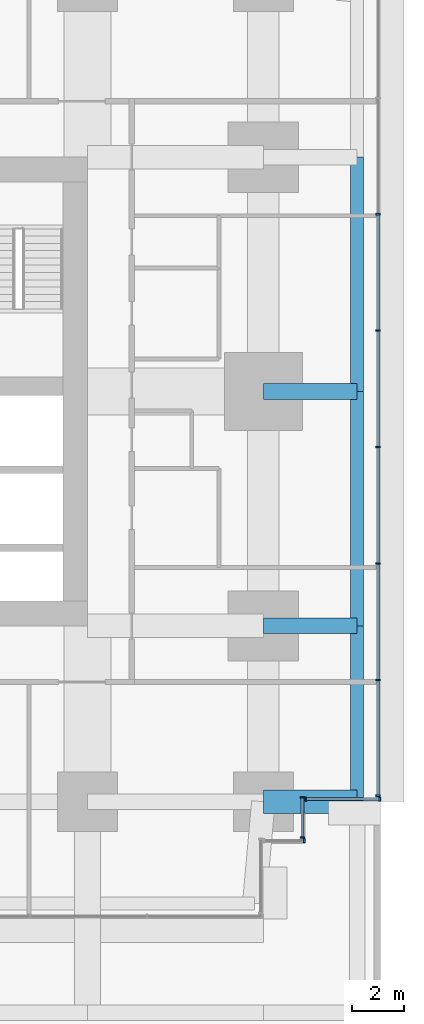
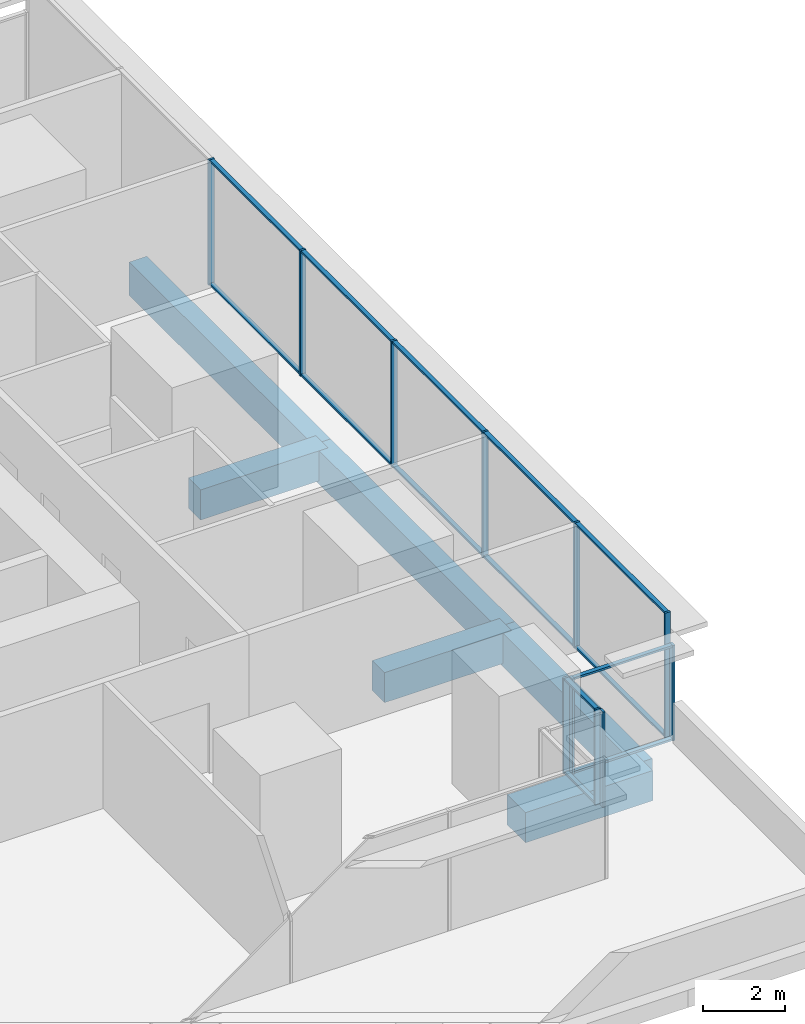
# One storey, part 16 of 34: 25 members, 6 beams, 4 elements without a shape of their own.
"""IFC4 building model written with IfcOpenShell, lengths in metres."""

from ifc_helpers import new_model, si_unit, direction, frame, origin, origin_2d, place, context, subcontext, project, spatial, rectangle, extrude, material, layer, layer_set, material_profile, profile_set, type_object, element, aggregate, save


model = new_model("IFC4")

# Units and contexts
model_context = context("Model", 3, precision=1e-05, world=origin(), true_north=direction((0.0, 1.0)))
body_context = subcontext(model_context, "Body", "Model", "MODEL_VIEW")
ifc_project = project(units=[si_unit("LENGTHUNIT", "METRE"), si_unit("AREAUNIT", "SQUARE_METRE"), si_unit("VOLUMEUNIT", "CUBIC_METRE"), si_unit("PLANEANGLEUNIT", "RADIAN"), si_unit("MASSUNIT", "GRAM", prefix="KILO")], contexts=[model_context])

# Site, building, storey
site_placement = place(None, origin())
site = spatial("IfcSite", under=ifc_project, at=site_placement, CompositionType="ELEMENT")
building_placement = place(site_placement, origin())
building = spatial("IfcBuilding", under=site, at=building_placement, Name="Namib Vertical Campus", CompositionType="ELEMENT")
storey_placement = place(building_placement, frame((0.0, 0.0, 21.0)))
storey = spatial("IfcBuildingStorey", under=building, at=storey_placement, Name="L04", CompositionType="ELEMENT", Elevation=21.0)

# Beams
ifc_material_1 = material(Name="Concrete C40/50", Category="concrete")
ifc_material_profile_1 = material_profile(ifc_material_1, rectangle(XDim=0.60009765625, YDim=0.89990234375, at=origin_2d()))
ifc_profile_set_1 = profile_set([ifc_material_profile_1], Name="Concrete C40/50")
beam_type_1 = type_object("IfcBeamType", Name="Cantilever girder RC 600x900", PredefinedType="BEAM", material=ifc_profile_set_1)
for number, where, z_axis, x_axis, name in (
    (1, (94.5, 11.25, -0.75), (1.0, 0.0, 0.0), (0.0, 1.0, 0.0), "Beam B3 L04"),
    (2, (94.5, 20.25, -0.75), (1.0, 0.0, 0.0), (0.0, 1.0, 0.0), "Beam B3 L04"),
):
    element("IfcBeam", number, at=place(storey_placement, frame(where, z_axis=z_axis, x_axis=x_axis)), inside=storey, type_object=beam_type_1, Name=name, PredefinedType="BEAM", context=body_context, shape_type="SweptSolid", body=[
        extrude(rectangle(XDim=0.60009765625, YDim=0.89990234375, at=origin_2d()), origin(), (0.0, 0.0, 1.0), 3.60009765625),
    ])

# Curtain wall, member
ifc_material_2 = material(Name="Black aluminium curtain wall", Category="aluminium")
ifc_layer = layer(ifc_material_2, 0.199951171875)
ifc_layer_set = layer_set([ifc_layer], Name="Lounge curtain wall CW-L4")
curtain_wall_type = type_object("IfcCurtainWallType", Name="Lounge curtain wall CW-L4", PredefinedType="USERDEFINED", material=ifc_layer_set)
curtain_wall_1_placement = place(storey_placement, origin())
curtain_wall_1 = element("IfcCurtainWall", 3, at=curtain_wall_1_placement, inside=storey, type_object=curtain_wall_type, Name="Curtain wall CW-L4 L04 F03-1", ObjectType="CURTAIN WALL", PredefinedType="USERDEFINED")
ifc_material_3 = material(Name="Black anodised aluminium", Category="aluminium")
ifc_material_profile_2 = material_profile(ifc_material_3, rectangle(XDim=0.06005859375, YDim=0.159912109375, at=origin_2d()))
ifc_profile_set_2 = profile_set([ifc_material_profile_2], Name="Black anodised aluminium")
member_type_1 = type_object("IfcMemberType", Name="Curtain wall mullion 60x160", PredefinedType="MULLION", material=ifc_profile_set_2)
member_1_placement = place(storey_placement, frame((96.070068359375, 3.0, 0.0), z_axis=(0.0, 0.0, 1.0), x_axis=(1.0, 0.0, 0.0)))
member_1 = element("IfcMember", 4, at=member_1_placement, type_object=member_type_1, Name="CW-L4 mullion 2", PredefinedType="MULLION", context=body_context, shape_type="SweptSolid", body=[
    extrude(rectangle(XDim=0.06005859375, YDim=0.159912109375, at=origin_2d()), origin(), (0.0, 0.0, 1.0), 2.85009765625),
])
aggregate(curtain_wall_1, [member_1])

# Curtain wall, members
curtain_wall_2_placement = place(storey_placement, origin())
curtain_wall_2 = element("IfcCurtainWall", 5, at=curtain_wall_2_placement, inside=storey, type_object=curtain_wall_type, Name="Curtain wall CW-L4 L04 F04-1", ObjectType="CURTAIN WALL", PredefinedType="USERDEFINED")
member_2_placement = place(storey_placement, frame((96.0, 3.1298828125, 0.0), z_axis=(0.0, 0.0, 1.0), x_axis=(0.0, 1.0, 0.0)))
member_2 = element("IfcMember", 6, at=member_2_placement, type_object=member_type_1, Name="CW-L4 mullion 1", PredefinedType="MULLION", context=body_context, shape_type="SweptSolid", body=[
    extrude(rectangle(XDim=0.06005859375, YDim=0.159912109375, at=origin_2d()), origin(), (0.0, 0.0, 1.0), 2.85009765625),
])
member_3_placement = place(storey_placement, frame((96.0, 4.669921875, 0.0), z_axis=(0.0, 0.0, 1.0), x_axis=(0.0, 1.0, 0.0)))
member_3 = element("IfcMember", 7, at=member_3_placement, type_object=member_type_1, Name="CW-L4 mullion 2", PredefinedType="MULLION", context=body_context, shape_type="SweptSolid", body=[
    extrude(rectangle(XDim=0.06005859375, YDim=0.159912109375, at=origin_2d()), origin(), (0.0, 0.0, 1.0), 2.85009765625),
])

curtain_wall_3_placement = place(storey_placement, origin())
curtain_wall_3 = element("IfcCurtainWall", 8, at=curtain_wall_3_placement, inside=storey, type_object=curtain_wall_type, Name="Curtain wall CW-L4 L04 F05-1", ObjectType="CURTAIN WALL", PredefinedType="USERDEFINED")
member_4_placement = place(storey_placement, frame((96.1298828125, 4.60009765625, 0.0), z_axis=(0.0, 0.0, 1.0), x_axis=(1.0, 0.0, 0.0)))
member_4 = element("IfcMember", 9, at=member_4_placement, type_object=member_type_1, Name="CW-L4 mullion 1", PredefinedType="MULLION", context=body_context, shape_type="SweptSolid", body=[
    extrude(rectangle(XDim=0.06005859375, YDim=0.159912109375, at=origin_2d()), origin(), (0.0, 0.0, 1.0), 2.85009765625),
])
member_5_placement = place(storey_placement, frame((98.969970703125, 4.60009765625, 0.0), z_axis=(0.0, 0.0, 1.0), x_axis=(1.0, 0.0, 0.0)))
member_5 = element("IfcMember", 10, at=member_5_placement, type_object=member_type_1, Name="CW-L4 mullion 2", PredefinedType="MULLION", context=body_context, shape_type="SweptSolid", body=[
    extrude(rectangle(XDim=0.06005859375, YDim=0.159912109375, at=origin_2d()), origin(), (0.0, 0.0, 1.0), 2.85009765625),
])

curtain_wall_4_placement = place(storey_placement, origin())
curtain_wall_4 = element("IfcCurtainWall", 11, at=curtain_wall_4_placement, inside=storey, type_object=curtain_wall_type, Name="Curtain wall CW-L4 L04 F06-1", ObjectType="CURTAIN WALL", PredefinedType="USERDEFINED")
member_6_placement = place(storey_placement, frame((98.89990234375, 4.72998046875, 0.0), z_axis=(0.0, 0.0, 1.0), x_axis=(0.0, 1.0, 0.0)))
member_6 = element("IfcMember", 12, at=member_6_placement, type_object=member_type_1, Name="CW-L4 mullion 1", PredefinedType="MULLION", context=body_context, shape_type="SweptSolid", body=[
    extrude(rectangle(XDim=0.06005859375, YDim=0.159912109375, at=origin_2d()), origin(), (0.0, 0.0, 1.0), 3.75),
])
member_7_placement = place(storey_placement, frame((98.89990234375, 9.17138671875, 0.0), z_axis=(0.0, 0.0, 1.0), x_axis=(0.0, 1.0, 0.0)))
member_7 = element("IfcMember", 13, at=member_7_placement, type_object=member_type_1, Name="CW-L4 mullion 2", PredefinedType="MULLION", context=body_context, shape_type="SweptSolid", body=[
    extrude(rectangle(XDim=0.06005859375, YDim=0.159912109375, at=origin_2d()), origin(), (0.0, 0.0, 1.0), 3.75),
])
member_8_placement = place(storey_placement, frame((98.89990234375, 13.642822265625, 0.0), z_axis=(0.0, 0.0, 1.0), x_axis=(0.0, 1.0, 0.0)))
member_8 = element("IfcMember", 14, at=member_8_placement, type_object=member_type_1, Name="CW-L4 mullion 3", PredefinedType="MULLION", context=body_context, shape_type="SweptSolid", body=[
    extrude(rectangle(XDim=0.06005859375, YDim=0.159912109375, at=origin_2d()), origin(), (0.0, 0.0, 1.0), 3.75),
])
member_9_placement = place(storey_placement, frame((98.89990234375, 18.1142578125, 0.0), z_axis=(0.0, 0.0, 1.0), x_axis=(0.0, 1.0, 0.0)))
member_9 = element("IfcMember", 15, at=member_9_placement, type_object=member_type_1, Name="CW-L4 mullion 4", PredefinedType="MULLION", context=body_context, shape_type="SweptSolid", body=[
    extrude(rectangle(XDim=0.06005859375, YDim=0.159912109375, at=origin_2d()), origin(), (0.0, 0.0, 1.0), 3.75),
])
member_10_placement = place(storey_placement, frame((98.89990234375, 22.585693359375, 0.0), z_axis=(0.0, 0.0, 1.0), x_axis=(0.0, 1.0, 0.0)))
member_10 = element("IfcMember", 16, at=member_10_placement, type_object=member_type_1, Name="CW-L4 mullion 5", PredefinedType="MULLION", context=body_context, shape_type="SweptSolid", body=[
    extrude(rectangle(XDim=0.06005859375, YDim=0.159912109375, at=origin_2d()), origin(), (0.0, 0.0, 1.0), 3.75),
])
member_11_placement = place(storey_placement, frame((98.89990234375, 27.05712890625, 0.0), z_axis=(0.0, 0.0, 1.0), x_axis=(0.0, 1.0, 0.0)))
member_11 = element("IfcMember", 17, at=member_11_placement, type_object=member_type_1, Name="CW-L4 mullion 6", PredefinedType="MULLION", context=body_context, shape_type="SweptSolid", body=[
    extrude(rectangle(XDim=0.06005859375, YDim=0.159912109375, at=origin_2d()), origin(), (0.0, 0.0, 1.0), 3.75),
])

# Member
ifc_material_4 = material(Name="Black anodised aluminium", Category="aluminium")
ifc_material_profile_3 = material_profile(ifc_material_4, rectangle(XDim=0.06005859375, YDim=0.1201171875, at=origin_2d()))
ifc_profile_set_3 = profile_set([ifc_material_profile_3], Name="Black anodised aluminium")
member_type_2 = type_object("IfcMemberType", Name="Curtain wall transom 60x120", PredefinedType="USERDEFINED", material=ifc_profile_set_3)
member_12_placement = place(storey_placement, frame((96.0, 3.159912109375, 0.030029296875), z_axis=(0.0, 1.0, 0.0), x_axis=(0.0, 0.0, 1.0)))
member_12 = element("IfcMember", 18, at=member_12_placement, type_object=member_type_2, Name="CW-L4 transom 1.1", ObjectType="TRANSOM", PredefinedType="USERDEFINED", context=body_context, shape_type="SweptSolid", body=[
    extrude(rectangle(XDim=0.06005859375, YDim=0.1201171875, at=origin_2d()), origin(), (0.0, 0.0, 1.0), 1.47998046875),
])

member_13_placement = place(storey_placement, frame((96.0, 3.159912109375, 2.820068359375), z_axis=(0.0, 1.0, 0.0), x_axis=(0.0, 0.0, 1.0)))
member_13 = element("IfcMember", 19, at=member_13_placement, type_object=member_type_2, Name="CW-L4 transom 1.2", ObjectType="TRANSOM", PredefinedType="USERDEFINED", context=body_context, shape_type="SweptSolid", body=[
    extrude(rectangle(XDim=0.06005859375, YDim=0.1201171875, at=origin_2d()), origin(), (0.0, 0.0, 1.0), 1.47998046875),
])

aggregate(curtain_wall_2, [member_2, member_3, member_12, member_13])

member_14_placement = place(storey_placement, frame((96.159912109375, 4.60009765625, 0.030029296875), z_axis=(1.0, 0.0, 0.0), x_axis=(0.0, 0.0, 1.0)))
member_14 = element("IfcMember", 20, at=member_14_placement, type_object=member_type_2, Name="CW-L4 transom 1.1", ObjectType="TRANSOM", PredefinedType="USERDEFINED", context=body_context, shape_type="SweptSolid", body=[
    extrude(rectangle(XDim=0.06005859375, YDim=0.1201171875, at=origin_2d()), origin(), (0.0, 0.0, 1.0), 2.780029296875),
])

member_15_placement = place(storey_placement, frame((96.159912109375, 4.60009765625, 2.820068359375), z_axis=(1.0, 0.0, 0.0), x_axis=(0.0, 0.0, 1.0)))
member_15 = element("IfcMember", 21, at=member_15_placement, type_object=member_type_2, Name="CW-L4 transom 1.2", ObjectType="TRANSOM", PredefinedType="USERDEFINED", context=body_context, shape_type="SweptSolid", body=[
    extrude(rectangle(XDim=0.06005859375, YDim=0.1201171875, at=origin_2d()), origin(), (0.0, 0.0, 1.0), 2.780029296875),
])

aggregate(curtain_wall_3, [member_4, member_5, member_14, member_15])

member_16_placement = place(storey_placement, frame((98.89990234375, 4.760009765625, 0.030029296875), z_axis=(0.0, 1.0, 0.0), x_axis=(0.0, 0.0, 1.0)))
member_16 = element("IfcMember", 22, at=member_16_placement, type_object=member_type_2, Name="CW-L4 transom 1.1", ObjectType="TRANSOM", PredefinedType="USERDEFINED", context=body_context, shape_type="SweptSolid", body=[
    extrude(rectangle(XDim=0.06005859375, YDim=0.1201171875, at=origin_2d()), origin(), (0.0, 0.0, 1.0), 4.38134765625),
])

member_17_placement = place(storey_placement, frame((98.89990234375, 4.760009765625, 3.719970703125), z_axis=(0.0, 1.0, 0.0), x_axis=(0.0, 0.0, 1.0)))
member_17 = element("IfcMember", 23, at=member_17_placement, type_object=member_type_2, Name="CW-L4 transom 1.2", ObjectType="TRANSOM", PredefinedType="USERDEFINED", context=body_context, shape_type="SweptSolid", body=[
    extrude(rectangle(XDim=0.06005859375, YDim=0.1201171875, at=origin_2d()), origin(), (0.0, 0.0, 1.0), 4.38134765625),
])

member_18_placement = place(storey_placement, frame((98.89990234375, 9.201416015625, 0.030029296875), z_axis=(0.0, 1.0, 0.0), x_axis=(0.0, 0.0, 1.0)))
member_18 = element("IfcMember", 24, at=member_18_placement, type_object=member_type_2, Name="CW-L4 transom 2.1", ObjectType="TRANSOM", PredefinedType="USERDEFINED", context=body_context, shape_type="SweptSolid", body=[
    extrude(rectangle(XDim=0.06005859375, YDim=0.1201171875, at=origin_2d()), origin(), (0.0, 0.0, 1.0), 4.411376953125),
])

member_19_placement = place(storey_placement, frame((98.89990234375, 9.201416015625, 3.719970703125), z_axis=(0.0, 1.0, 0.0), x_axis=(0.0, 0.0, 1.0)))
member_19 = element("IfcMember", 25, at=member_19_placement, type_object=member_type_2, Name="CW-L4 transom 2.2", ObjectType="TRANSOM", PredefinedType="USERDEFINED", context=body_context, shape_type="SweptSolid", body=[
    extrude(rectangle(XDim=0.06005859375, YDim=0.1201171875, at=origin_2d()), origin(), (0.0, 0.0, 1.0), 4.411376953125),
])

member_20_placement = place(storey_placement, frame((98.89990234375, 13.6728515625, 0.030029296875), z_axis=(0.0, 1.0, 0.0), x_axis=(0.0, 0.0, 1.0)))
member_20 = element("IfcMember", 26, at=member_20_placement, type_object=member_type_2, Name="CW-L4 transom 3.1", ObjectType="TRANSOM", PredefinedType="USERDEFINED", context=body_context, shape_type="SweptSolid", body=[
    extrude(rectangle(XDim=0.06005859375, YDim=0.1201171875, at=origin_2d()), origin(), (0.0, 0.0, 1.0), 4.411376953125),
])

member_21_placement = place(storey_placement, frame((98.89990234375, 13.6728515625, 3.719970703125), z_axis=(0.0, 1.0, 0.0), x_axis=(0.0, 0.0, 1.0)))
member_21 = element("IfcMember", 27, at=member_21_placement, type_object=member_type_2, Name="CW-L4 transom 3.2", ObjectType="TRANSOM", PredefinedType="USERDEFINED", context=body_context, shape_type="SweptSolid", body=[
    extrude(rectangle(XDim=0.06005859375, YDim=0.1201171875, at=origin_2d()), origin(), (0.0, 0.0, 1.0), 4.411376953125),
])

member_22_placement = place(storey_placement, frame((98.89990234375, 18.144287109375, 0.030029296875), z_axis=(0.0, 1.0, 0.0), x_axis=(0.0, 0.0, 1.0)))
member_22 = element("IfcMember", 28, at=member_22_placement, type_object=member_type_2, Name="CW-L4 transom 4.1", ObjectType="TRANSOM", PredefinedType="USERDEFINED", context=body_context, shape_type="SweptSolid", body=[
    extrude(rectangle(XDim=0.06005859375, YDim=0.1201171875, at=origin_2d()), origin(), (0.0, 0.0, 1.0), 4.411376953125),
])

member_23_placement = place(storey_placement, frame((98.89990234375, 18.144287109375, 3.719970703125), z_axis=(0.0, 1.0, 0.0), x_axis=(0.0, 0.0, 1.0)))
member_23 = element("IfcMember", 29, at=member_23_placement, type_object=member_type_2, Name="CW-L4 transom 4.2", ObjectType="TRANSOM", PredefinedType="USERDEFINED", context=body_context, shape_type="SweptSolid", body=[
    extrude(rectangle(XDim=0.06005859375, YDim=0.1201171875, at=origin_2d()), origin(), (0.0, 0.0, 1.0), 4.411376953125),
])

member_24_placement = place(storey_placement, frame((98.89990234375, 22.61572265625, 0.030029296875), z_axis=(0.0, 1.0, 0.0), x_axis=(0.0, 0.0, 1.0)))
member_24 = element("IfcMember", 30, at=member_24_placement, type_object=member_type_2, Name="CW-L4 transom 5.1", ObjectType="TRANSOM", PredefinedType="USERDEFINED", context=body_context, shape_type="SweptSolid", body=[
    extrude(rectangle(XDim=0.06005859375, YDim=0.1201171875, at=origin_2d()), origin(), (0.0, 0.0, 1.0), 4.411376953125),
])

member_25_placement = place(storey_placement, frame((98.89990234375, 22.61572265625, 3.719970703125), z_axis=(0.0, 1.0, 0.0), x_axis=(0.0, 0.0, 1.0)))
member_25 = element("IfcMember", 31, at=member_25_placement, type_object=member_type_2, Name="CW-L4 transom 5.2", ObjectType="TRANSOM", PredefinedType="USERDEFINED", context=body_context, shape_type="SweptSolid", body=[
    extrude(rectangle(XDim=0.06005859375, YDim=0.1201171875, at=origin_2d()), origin(), (0.0, 0.0, 1.0), 4.411376953125),
])

aggregate(curtain_wall_4, [member_6, member_7, member_8, member_9, member_10, member_11, member_16, member_17, member_18, member_19, member_20, member_21, member_22, member_23, member_24, member_25])

# Beams
ifc_material_5 = material(Name="Concrete C40/50", Category="concrete")
ifc_material_profile_4 = material_profile(ifc_material_5, rectangle(XDim=0.89990234375, YDim=0.89990234375, at=origin_2d()))
ifc_profile_set_4 = profile_set([ifc_material_profile_4], Name="Concrete C40/50")
beam_type_2 = type_object("IfcBeamType", Name="Podium roof corner cantilever RC 900x900", PredefinedType="BEAM", material=ifc_profile_set_4)
beam_1_placement = place(storey_placement, frame((94.5, 4.5, -0.75), z_axis=(1.0, 0.0, 0.0), x_axis=(0.0, 1.0, 0.0)))
element("IfcBeam", 32, at=beam_1_placement, inside=storey, type_object=beam_type_2, Name="Beam B13 L04", PredefinedType="BEAM", context=body_context, shape_type="SweptSolid", body=[
    extrude(rectangle(XDim=0.89990234375, YDim=0.89990234375, at=origin_2d()), origin(), (0.0, 0.0, 1.0), 3.60009765625),
])
ifc_material_6 = material(Name="Concrete C40/50", Category="concrete")
ifc_material_profile_5 = material_profile(ifc_material_6, rectangle(XDim=0.5, YDim=1.0, at=origin_2d()))
ifc_profile_set_5 = profile_set([ifc_material_profile_5], Name="Concrete C40/50")
beam_type_3 = type_object("IfcBeamType", Name="Podium roof edge beam RC 500x1000", PredefinedType="SPANDREL", material=ifc_profile_set_5)
beam_2_placement = place(storey_placement, frame((98.10009765625, 4.5, -0.800048828125), z_axis=(0.0, 1.0, 0.0), x_axis=(-1.0, 0.0, 0.0)))
element("IfcBeam", 33, at=beam_2_placement, inside=storey, type_object=beam_type_3, Name="Beam B8 L04", PredefinedType="SPANDREL", context=body_context, shape_type="SweptSolid", body=[
    extrude(rectangle(XDim=0.5, YDim=1.0, at=origin_2d()), origin(), (0.0, 0.0, 1.0), 6.75),
])
for number, where, z_axis, x_axis, name in (
    (34, (98.10009765625, 11.25, -0.800048828125), (0.0, 1.0, 0.0), (-1.0, 0.0, 0.0), "Beam B8 L04"),
    (35, (98.10009765625, 20.25, -0.800048828125), (0.0, 1.0, 0.0), (-1.0, 0.0, 0.0), "Beam B8 L04"),
):
    element("IfcBeam", number, at=place(storey_placement, frame(where, z_axis=z_axis, x_axis=x_axis)), inside=storey, type_object=beam_type_3, Name=name, PredefinedType="SPANDREL", context=body_context, shape_type="SweptSolid", body=[
        extrude(rectangle(XDim=0.5, YDim=1.0, at=origin_2d()), origin(), (0.0, 0.0, 1.0), 9.0),
    ])

save(model, "model.ifc")
